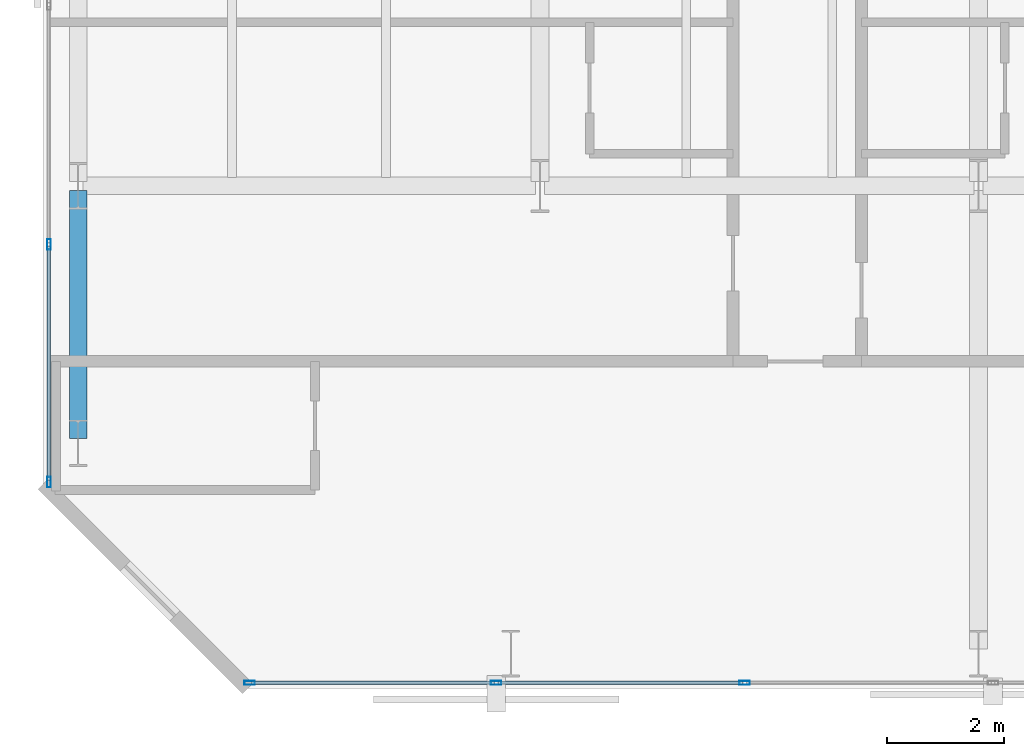
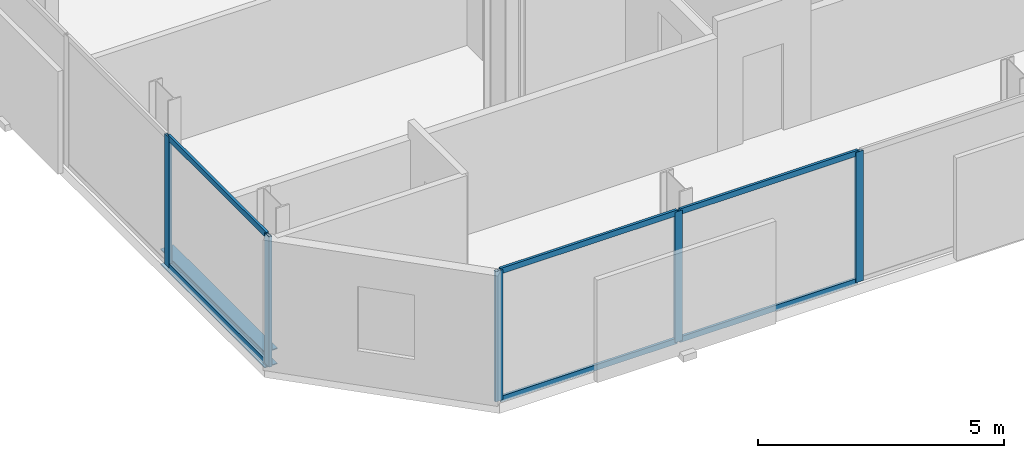
# One storey, part 3 of 33: 11 members, 1 beam, 2 elements without a shape of their own.
"""IFC4 building model written with IfcOpenShell, lengths in metres."""

from ifc_helpers import new_model, si_unit, direction, frame, origin, origin_2d, place, context, subcontext, project, spatial, hollow_rectangle, i_section, extrude, material, layer, layer_set, material_profile, profile_set, type_object, element, aggregate, save


model = new_model("IFC4")

# Units and contexts
model_context = context("Model", 3, precision=1e-05, world=origin(), true_north=direction((0.0, 1.0)))
body_context = subcontext(model_context, "Body", "Model", "MODEL_VIEW")
ifc_project = project(units=[si_unit("LENGTHUNIT", "METRE"), si_unit("AREAUNIT", "SQUARE_METRE"), si_unit("VOLUMEUNIT", "CUBIC_METRE"), si_unit("PLANEANGLEUNIT", "RADIAN"), si_unit("MASSUNIT", "GRAM", prefix="KILO")], contexts=[model_context])

# Site, building, storey
site_placement = place(None, origin())
site = spatial("IfcSite", under=ifc_project, at=site_placement, CompositionType="ELEMENT")
building_placement = place(site_placement, origin())
building = spatial("IfcBuilding", under=site, at=building_placement, Name="Catumbela Crestline Tower", CompositionType="ELEMENT")
storey_placement = place(building_placement, frame((0.0, 0.0, 76.2)))
storey = spatial("IfcBuildingStorey", under=building, at=storey_placement, Name="L19", CompositionType="ELEMENT", Elevation=76.2)

# Curtain wall, members
ifc_material_1 = material(Name="Aluminium alloy AW-6060-T66", Category="aluminium")
ifc_layer = layer(ifc_material_1, 0.18, Name="Aluminium alloy AW-6060-T66")
ifc_layer_set = layer_set([ifc_layer], Name="Aluminium alloy AW-6060-T66")
curtain_wall_type = type_object("IfcCurtainWallType", Name="CWU-Z1", PredefinedType="USERDEFINED", material=ifc_layer_set)
curtain_wall_1_placement = place(storey_placement, origin())
curtain_wall_1 = element("IfcCurtainWall", 1, at=curtain_wall_1_placement, inside=storey, type_object=curtain_wall_type, Name="L19 Unitised Curtain Wall CW-L19-E0S1", ObjectType="UNITISED", PredefinedType="USERDEFINED")
ifc_material_profile_1 = material_profile(ifc_material_1, hollow_rectangle(XDim=0.065, YDim=0.18, WallThickness=0.004, at=origin_2d()), Name="ALU 180x65x4")
ifc_profile_set_1 = profile_set([ifc_material_profile_1], Name="Aluminium alloy AW-6060-T66")
member_type_1 = type_object("IfcMemberType", Name="MUL-180X65", PredefinedType="MULLION", material=ifc_profile_set_1)
member_1_placement = place(storey_placement, frame((3.5325, 0.1, 0.0), z_axis=(0.0, 0.0, 1.0), x_axis=(0.0, 1.0, 0.0)))
member_1 = element("IfcMember", 2, at=member_1_placement, type_object=member_type_1, Name="CWU-Z1 mullion 1", PredefinedType="MULLION", context=body_context, shape_type="SweptSolid", body=[
    extrude(hollow_rectangle(XDim=0.065, YDim=0.18, WallThickness=0.004, at=origin_2d()), origin(), (0.0, 0.0, 1.0), 3.24),
])
member_2_placement = place(storey_placement, frame((7.75, 0.1, 0.0), z_axis=(0.0, 0.0, 1.0), x_axis=(0.0, 1.0, 0.0)))
member_2 = element("IfcMember", 3, at=member_2_placement, type_object=member_type_1, Name="CWU-Z1 mullion 2", PredefinedType="MULLION", context=body_context, shape_type="SweptSolid", body=[
    extrude(hollow_rectangle(XDim=0.065, YDim=0.18, WallThickness=0.004, at=origin_2d()), origin(), (0.0, 0.0, 1.0), 3.24),
])
member_3_placement = place(storey_placement, frame((12.0, 0.1, 0.0), z_axis=(0.0, 0.0, 1.0), x_axis=(0.0, 1.0, 0.0)))
member_3 = element("IfcMember", 4, at=member_3_placement, type_object=member_type_1, Name="CWU-Z1 mullion 3", PredefinedType="MULLION", context=body_context, shape_type="SweptSolid", body=[
    extrude(hollow_rectangle(XDim=0.065, YDim=0.18, WallThickness=0.004, at=origin_2d()), origin(), (0.0, 0.0, 1.0), 3.24),
])

curtain_wall_2_placement = place(storey_placement, origin())
curtain_wall_2 = element("IfcCurtainWall", 5, at=curtain_wall_2_placement, inside=storey, type_object=curtain_wall_type, Name="L19 Unitised Curtain Wall CW-L19-E9S1", ObjectType="UNITISED", PredefinedType="USERDEFINED")
member_4_placement = place(storey_placement, frame((0.1, 7.6, 0.0), z_axis=(0.0, 0.0, 1.0), x_axis=(1.0, 0.0, 0.0)))
member_4 = element("IfcMember", 6, at=member_4_placement, type_object=member_type_1, Name="CWU-Z1 mullion 10", PredefinedType="MULLION", context=body_context, shape_type="SweptSolid", body=[
    extrude(hollow_rectangle(XDim=0.065, YDim=0.18, WallThickness=0.004, at=origin_2d()), origin(), (0.0, 0.0, 1.0), 3.24),
])
member_5_placement = place(storey_placement, frame((0.1, 3.5325, 0.0), z_axis=(0.0, 0.0, 1.0), x_axis=(1.0, 0.0, 0.0)))
member_5 = element("IfcMember", 7, at=member_5_placement, type_object=member_type_1, Name="CWU-Z1 mullion 11", PredefinedType="MULLION", context=body_context, shape_type="SweptSolid", body=[
    extrude(hollow_rectangle(XDim=0.065, YDim=0.18, WallThickness=0.004, at=origin_2d()), origin(), (0.0, 0.0, 1.0), 3.24),
])

# Beam
ifc_material_2 = material(Name="Structural steel S355J2", Category="steel")
ifc_material_profile_2 = material_profile(ifc_material_2, i_section(OverallWidth=0.3, OverallDepth=0.4, WebThickness=0.0135, FlangeThickness=0.024, FilletRadius=0.027, at=origin_2d()), Name="HEB 400")
ifc_profile_set_2 = profile_set([ifc_material_profile_2], Name="Structural steel S355J2")
beam_type = type_object("IfcBeamType", Name="BS-HEB400", PredefinedType="SPANDREL", material=ifc_profile_set_2)
beam_placement = place(storey_placement, frame((0.6, 4.28, -0.46), z_axis=(0.0, 1.0, 0.0), x_axis=(-1.0, 0.0, 0.0)))
element("IfcBeam", 8, at=beam_placement, inside=storey, type_object=beam_type, Name="L19 Spandrel SP-L19-WNS57", PredefinedType="SPANDREL", context=body_context, shape_type="SweptSolid", body=[
    extrude(i_section(OverallWidth=0.3, OverallDepth=0.4, WebThickness=0.0135, FlangeThickness=0.024, FilletRadius=0.027, at=origin_2d()), origin(), (0.0, 0.0, 1.0), 4.24),
])

# Member
ifc_material_profile_3 = material_profile(ifc_material_1, hollow_rectangle(XDim=0.06, YDim=0.14, WallThickness=0.004, at=origin_2d()), Name="ALU 140x60x4")
ifc_profile_set_3 = profile_set([ifc_material_profile_3], Name="Aluminium alloy AW-6060-T66")
member_type_2 = type_object("IfcMemberType", Name="TRN-140X60", PredefinedType="USERDEFINED", material=ifc_profile_set_3)
member_6_placement = place(storey_placement, frame((3.565, 0.1, 0.03), z_axis=(1.0, 0.0, 0.0), x_axis=(0.0, 1.0, 0.0)))
member_6 = element("IfcMember", 9, at=member_6_placement, type_object=member_type_2, Name="CWU-Z1 transom 1.1", ObjectType="TRANSOM", PredefinedType="USERDEFINED", context=body_context, shape_type="SweptSolid", body=[
    extrude(hollow_rectangle(XDim=0.06, YDim=0.14, WallThickness=0.004, at=origin_2d()), origin(), (0.0, 0.0, 1.0), 4.1525),
])

member_7_placement = place(storey_placement, frame((3.565, 0.1, 3.21), z_axis=(1.0, 0.0, 0.0), x_axis=(0.0, 1.0, 0.0)))
member_7 = element("IfcMember", 10, at=member_7_placement, type_object=member_type_2, Name="CWU-Z1 transom 1.2", ObjectType="TRANSOM", PredefinedType="USERDEFINED", context=body_context, shape_type="SweptSolid", body=[
    extrude(hollow_rectangle(XDim=0.06, YDim=0.14, WallThickness=0.004, at=origin_2d()), origin(), (0.0, 0.0, 1.0), 4.1525),
])

member_8_placement = place(storey_placement, frame((7.7825, 0.1, 0.03), z_axis=(1.0, 0.0, 0.0), x_axis=(0.0, 1.0, 0.0)))
member_8 = element("IfcMember", 11, at=member_8_placement, type_object=member_type_2, Name="CWU-Z1 transom 2.1", ObjectType="TRANSOM", PredefinedType="USERDEFINED", context=body_context, shape_type="SweptSolid", body=[
    extrude(hollow_rectangle(XDim=0.06, YDim=0.14, WallThickness=0.004, at=origin_2d()), origin(), (0.0, 0.0, 1.0), 4.185),
])

member_9_placement = place(storey_placement, frame((7.7825, 0.1, 3.21), z_axis=(1.0, 0.0, 0.0), x_axis=(0.0, 1.0, 0.0)))
member_9 = element("IfcMember", 12, at=member_9_placement, type_object=member_type_2, Name="CWU-Z1 transom 2.2", ObjectType="TRANSOM", PredefinedType="USERDEFINED", context=body_context, shape_type="SweptSolid", body=[
    extrude(hollow_rectangle(XDim=0.06, YDim=0.14, WallThickness=0.004, at=origin_2d()), origin(), (0.0, 0.0, 1.0), 4.185),
])

aggregate(curtain_wall_1, [member_1, member_2, member_3, member_6, member_7, member_8, member_9])

member_10_placement = place(storey_placement, frame((0.1, 7.5675, 0.03), z_axis=(0.0, -1.0, 0.0), x_axis=(1.0, 0.0, 0.0)))
member_10 = element("IfcMember", 13, at=member_10_placement, type_object=member_type_2, Name="CWU-Z1 transom 10.1", ObjectType="TRANSOM", PredefinedType="USERDEFINED", context=body_context, shape_type="SweptSolid", body=[
    extrude(hollow_rectangle(XDim=0.06, YDim=0.14, WallThickness=0.004, at=origin_2d()), origin(), (0.0, 0.0, 1.0), 4.0025),
])

member_11_placement = place(storey_placement, frame((0.1, 7.5675, 3.21), z_axis=(0.0, -1.0, 0.0), x_axis=(1.0, 0.0, 0.0)))
member_11 = element("IfcMember", 14, at=member_11_placement, type_object=member_type_2, Name="CWU-Z1 transom 10.2", ObjectType="TRANSOM", PredefinedType="USERDEFINED", context=body_context, shape_type="SweptSolid", body=[
    extrude(hollow_rectangle(XDim=0.06, YDim=0.14, WallThickness=0.004, at=origin_2d()), origin(), (0.0, 0.0, 1.0), 4.0025),
])

aggregate(curtain_wall_2, [member_4, member_5, member_10, member_11])

save(model, "model.ifc")
